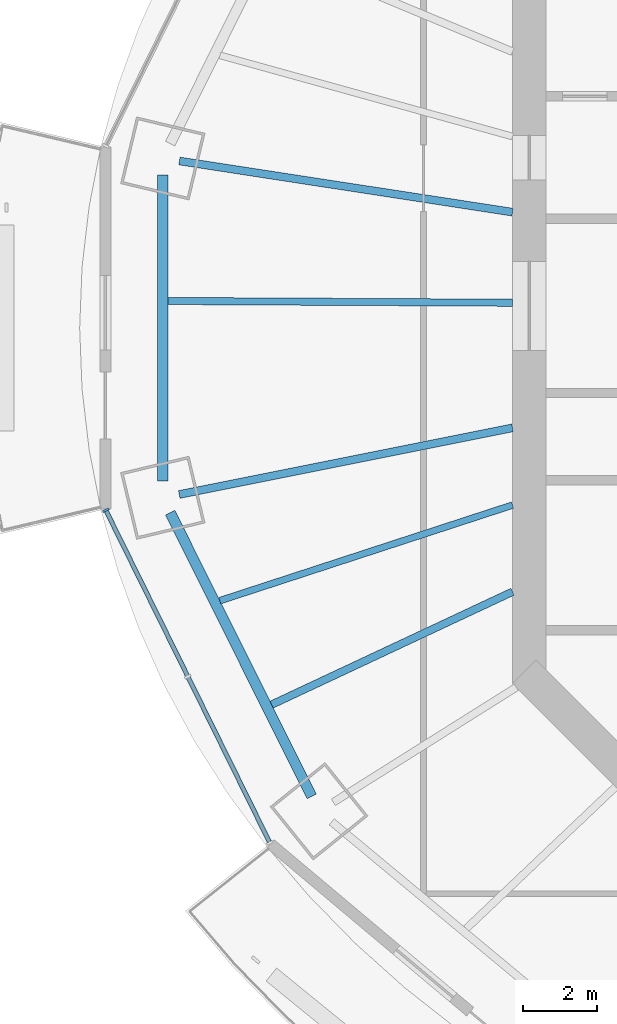
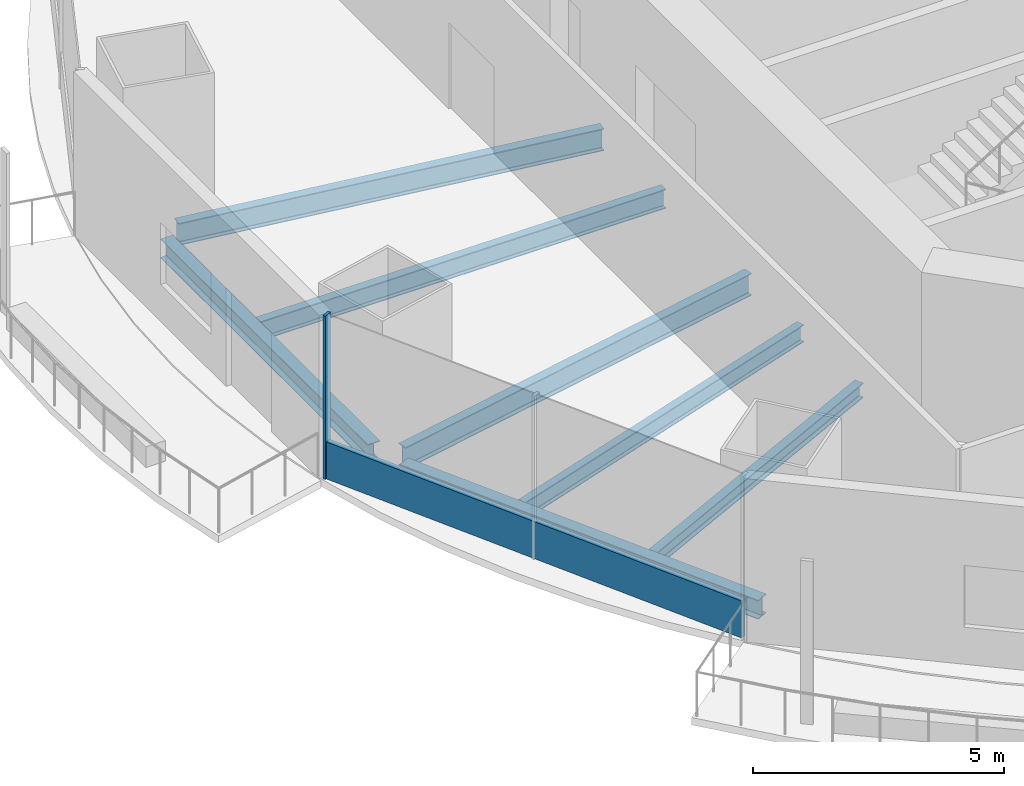
# One storey, part 3 of 19: 7 beams, 2 members, 1 element without a shape of its own.
"""IFC4 building model written with IfcOpenShell, lengths in metres."""

from ifc_helpers import new_model, si_unit, direction, frame, origin, origin_2d, place, context, subcontext, project, spatial, rectangle, i_section, extrude, material, material_profile, profile_set, type_object, element, aggregate, save


model = new_model("IFC4")

# Units and contexts
model_context = context("Model", 3, precision=1e-05, world=origin(), true_north=direction((0.0, 1.0)))
body_context = subcontext(model_context, "Body", "Model", "MODEL_VIEW")
ifc_project = project(units=[si_unit("LENGTHUNIT", "METRE"), si_unit("AREAUNIT", "SQUARE_METRE"), si_unit("VOLUMEUNIT", "CUBIC_METRE"), si_unit("PLANEANGLEUNIT", "RADIAN"), si_unit("MASSUNIT", "GRAM", prefix="KILO")], contexts=[model_context])

# Site, building, storey
site_placement = place(None, origin())
site = spatial("IfcSite", under=ifc_project, at=site_placement, CompositionType="ELEMENT")
building_placement = place(site_placement, origin())
building = spatial("IfcBuilding", under=site, at=building_placement, Name="Marenthal Gate Tower", CompositionType="ELEMENT")
storey_placement = place(building_placement, frame((0.0, 0.0, 248.199951171875)))
storey = spatial("IfcBuildingStorey", under=building, at=storey_placement, Name="L55", CompositionType="ELEMENT", Elevation=248.199951171875)

# Curtain wall, members
ifc_material_1 = material(Name="Aluminium and glass", Category="aluminium")
curtain_wall_type = type_object("IfcCurtainWallType", Name="Curtain wall typical mid", PredefinedType="NOTDEFINED", material=ifc_material_1)
curtain_wall_placement = place(storey_placement, origin())
curtain_wall = element("IfcCurtainWall", 1, at=curtain_wall_placement, inside=storey, type_object=curtain_wall_type, Name="Curtain wall L55 bay 9", PredefinedType="NOTDEFINED")
ifc_material_2 = material(Name="Aluminium", Category="aluminium")
ifc_material_profile_1 = material_profile(ifc_material_2, rectangle(XDim=0.179931640625, YDim=0.06005859375, at=origin_2d()), Name="60x180 aluminium mullion")
ifc_profile_set_1 = profile_set([ifc_material_profile_1], Name="Aluminium")
member_type_1 = type_object("IfcMemberType", Name="Mullion 60x180 typical mid", PredefinedType="MULLION", material=ifc_profile_set_1)
member_1_placement = place(storey_placement, frame((-27.4169921875, -5.5107421875, 0.0), z_axis=(0.0, 0.0, 1.0), x_axis=(0.896882319585, 0.44226926732, 0.0)))
member_1 = element("IfcMember", 2, at=member_1_placement, type_object=member_type_1, Name="Mullion L55 bay 9.1", PredefinedType="MULLION", context=body_context, shape_type="SweptSolid", body=[
    extrude(rectangle(XDim=0.179931640625, YDim=0.06005859375, at=origin_2d()), origin(), (0.0, 0.0, 1.0), 3.969970703125),
])
ifc_material_3 = material(Name="Aluminium", Category="aluminium")
ifc_material_profile_2 = material_profile(ifc_material_3, rectangle(XDim=0.1201171875, YDim=0.89990234375, at=origin_2d()), Name="120x900 aluminium transom")
ifc_profile_set_2 = profile_set([ifc_material_profile_2], Name="Aluminium")
member_type_2 = type_object("IfcMemberType", Name="Transom 120x900 typical mid", PredefinedType="USERDEFINED", material=ifc_profile_set_2)
member_2_placement = place(storey_placement, frame((-27.40380859375, -5.53759765625, 0.449951171875), z_axis=(0.44226596641, -0.896883947317, 0.0), x_axis=(0.896883947317, 0.44226596641, 0.0)))
member_2 = element("IfcMember", 3, at=member_2_placement, type_object=member_type_2, Name="Transom L55 bay 9", ObjectType="TRANSOM", PredefinedType="USERDEFINED", context=body_context, shape_type="SweptSolid", body=[
    extrude(rectangle(XDim=0.1201171875, YDim=0.89990234375, at=origin_2d()), origin(), (0.0, 0.0, 1.0), 9.94189453125),
])
aggregate(curtain_wall, [member_1, member_2])

# Beams
ifc_material_4 = material(Name="Steel S355", Category="steel")
ifc_material_profile_3 = material_profile(ifc_material_4, i_section(OverallWidth=0.205078125, OverallDepth=0.35302734375, WebThickness=0.009521484375, FlangeThickness=0.016845703125, FilletRadius=0.014892578125, at=origin_2d()), Name="W360X79")
ifc_profile_set_3 = profile_set([ifc_material_profile_3], Name="Steel S355")
beam_type_1 = type_object("IfcBeamType", Name="W360X79 beam", PredefinedType="BEAM", material=ifc_profile_set_3)
beam_1_placement = place(storey_placement, frame((-22.945068359375, -10.7529296875, -0.3564453125), z_axis=(0.905493268735, 0.424360625266, 0.0), x_axis=(-0.424360625266, 0.905493268735, 0.0)))
element("IfcBeam", 4, at=beam_1_placement, inside=storey, type_object=beam_type_1, Name="BM-L55-30", PredefinedType="BEAM", context=body_context, shape_type="SweptSolid", body=[
    extrude(i_section(OverallWidth=0.205078125, OverallDepth=0.35302734375, WebThickness=0.009521484375, FlangeThickness=0.016845703125, FilletRadius=0.014892578125, at=origin_2d()), origin(), (0.0, 0.0, 1.0), 7.173095703125),
])
ifc_material_5 = material(Name="Steel S355", Category="steel")
ifc_material_profile_4 = material_profile(ifc_material_5, i_section(OverallWidth=0.180908203125, OverallDepth=0.4169921875, WebThickness=0.010986328125, FlangeThickness=0.018310546875, FilletRadius=0.01025390625, at=origin_2d()), Name="W410X85")
ifc_profile_set_4 = profile_set([ifc_material_profile_4], Name="Steel S355")
beam_type_2 = type_object("IfcBeamType", Name="W410X85 beam", PredefinedType="BEAM", material=ifc_profile_set_4)
beam_2_placement = place(storey_placement, frame((-24.342041015625, -7.9501953125, -0.388427734375), z_axis=(0.950583142106, 0.310470111191, 0.0), x_axis=(-0.310470111191, 0.950583142106, 0.0)))
element("IfcBeam", 5, at=beam_2_placement, inside=storey, type_object=beam_type_2, Name="BM-L55-29", PredefinedType="BEAM", context=body_context, shape_type="SweptSolid", body=[
    extrude(i_section(OverallWidth=0.180908203125, OverallDepth=0.4169921875, WebThickness=0.010986328125, FlangeThickness=0.018310546875, FilletRadius=0.01025390625, at=origin_2d()), origin(), (0.0, 0.0, 1.0), 8.30224609375),
])
ifc_material_6 = material(Name="Steel S355", Category="steel")
ifc_material_profile_5 = material_profile(ifc_material_6, i_section(OverallWidth=0.279052734375, OverallDepth=0.4619140625, WebThickness=0.0107421875, FlangeThickness=0.017333984375, FilletRadius=0.010009765625, at=origin_2d()), Name="W460X113")
ifc_profile_set_5 = profile_set([ifc_material_profile_5], Name="Steel S355")
beam_type_3 = type_object("IfcBeamType", Name="W460X113 beam", PredefinedType="BEAM", material=ifc_profile_set_5)
beam_3_placement = place(storey_placement, frame((-25.880615234375, 3.5244140625, -0.410888671875), z_axis=(0.0, -1.0, 0.0), x_axis=(1.0, 0.0, 0.0)))
element("IfcBeam", 6, at=beam_3_placement, inside=storey, type_object=beam_type_3, Name="BM-L55-48", PredefinedType="BEAM", context=body_context, shape_type="SweptSolid", body=[
    extrude(i_section(OverallWidth=0.279052734375, OverallDepth=0.4619140625, WebThickness=0.0107421875, FlangeThickness=0.017333984375, FilletRadius=0.010009765625, at=origin_2d()), origin(), (0.0, 0.0, 1.0), 8.2490234375),
])
beam_4_placement = place(storey_placement, frame((-25.68017578125, -5.577880859375, -0.410888671875), z_axis=(0.446082541832, -0.894991824472, 0.0), x_axis=(0.894991824472, 0.446082541832, 0.0)))
element("IfcBeam", 7, at=beam_4_placement, inside=storey, type_object=beam_type_3, Name="BM-L55-49", PredefinedType="BEAM", context=body_context, shape_type="SweptSolid", body=[
    extrude(i_section(OverallWidth=0.279052734375, OverallDepth=0.4619140625, WebThickness=0.0107421875, FlangeThickness=0.017333984375, FilletRadius=0.010009765625, at=origin_2d()), origin(), (0.0, 0.0, 1.0), 8.550537109375),
])
ifc_material_7 = material(Name="Steel S355", Category="steel")
ifc_material_profile_6 = material_profile(ifc_material_7, i_section(OverallWidth=0.193115234375, OverallDepth=0.467041015625, WebThickness=0.011474609375, FlangeThickness=0.01904296875, FilletRadius=0.010009765625, at=origin_2d()), Name="W460X97")
ifc_profile_set_6 = profile_set([ifc_material_profile_6], Name="Steel S355")
beam_type_4 = type_object("IfcBeamType", Name="W460X97 beam", PredefinedType="BEAM", material=ifc_profile_set_6)
beam_5_placement = place(storey_placement, frame((-25.7412109375, 0.13134765625, -0.413330078125), z_axis=(0.999987007405, -0.005097550502, 0.0), x_axis=(0.005097550502, 0.999987007405, 0.0)))
element("IfcBeam", 8, at=beam_5_placement, inside=storey, type_object=beam_type_4, Name="BM-L55-28", PredefinedType="BEAM", context=body_context, shape_type="SweptSolid", body=[
    extrude(i_section(OverallWidth=0.193115234375, OverallDepth=0.467041015625, WebThickness=0.011474609375, FlangeThickness=0.01904296875, FilletRadius=0.010009765625, at=origin_2d()), origin(), (0.0, 0.0, 1.0), 9.291259765625),
])
ifc_material_8 = material(Name="Steel S355", Category="steel")
ifc_material_profile_7 = material_profile(ifc_material_8, i_section(OverallWidth=0.2099609375, OverallDepth=0.535888671875, WebThickness=0.010986328125, FlangeThickness=0.017333984375, FilletRadius=0.0126953125, at=origin_2d()), Name="W530X101")
ifc_profile_set_7 = profile_set([ifc_material_profile_7], Name="Steel S355")
beam_type_5 = type_object("IfcBeamType", Name="W530X101 beam", PredefinedType="BEAM", material=ifc_profile_set_7)
beam_6_placement = place(storey_placement, frame((-25.4326171875, 3.90673828125, -0.447998046875), z_axis=(0.988405834973, -0.151835125683, 0.0), x_axis=(0.151835125683, 0.988405834973, 0.0)))
element("IfcBeam", 9, at=beam_6_placement, inside=storey, type_object=beam_type_5, Name="BM-L55-08", PredefinedType="BEAM", context=body_context, shape_type="SweptSolid", body=[
    extrude(i_section(OverallWidth=0.2099609375, OverallDepth=0.535888671875, WebThickness=0.010986328125, FlangeThickness=0.017333984375, FilletRadius=0.0126953125, at=origin_2d()), origin(), (0.0, 0.0, 1.0), 9.088134765625),
])
beam_7_placement = place(storey_placement, frame((-25.438720703125, -5.087158203125, -0.447998046875), z_axis=(0.98058886973, 0.196075160491, 0.0), x_axis=(-0.196075160491, 0.98058886973, 0.0)))
element("IfcBeam", 10, at=beam_7_placement, inside=storey, type_object=beam_type_5, Name="BM-L55-09", PredefinedType="BEAM", context=body_context, shape_type="SweptSolid", body=[
    extrude(i_section(OverallWidth=0.2099609375, OverallDepth=0.535888671875, WebThickness=0.010986328125, FlangeThickness=0.017333984375, FilletRadius=0.0126953125, at=origin_2d()), origin(), (0.0, 0.0, 1.0), 9.166748046875),
])

save(model, "model.ifc")
